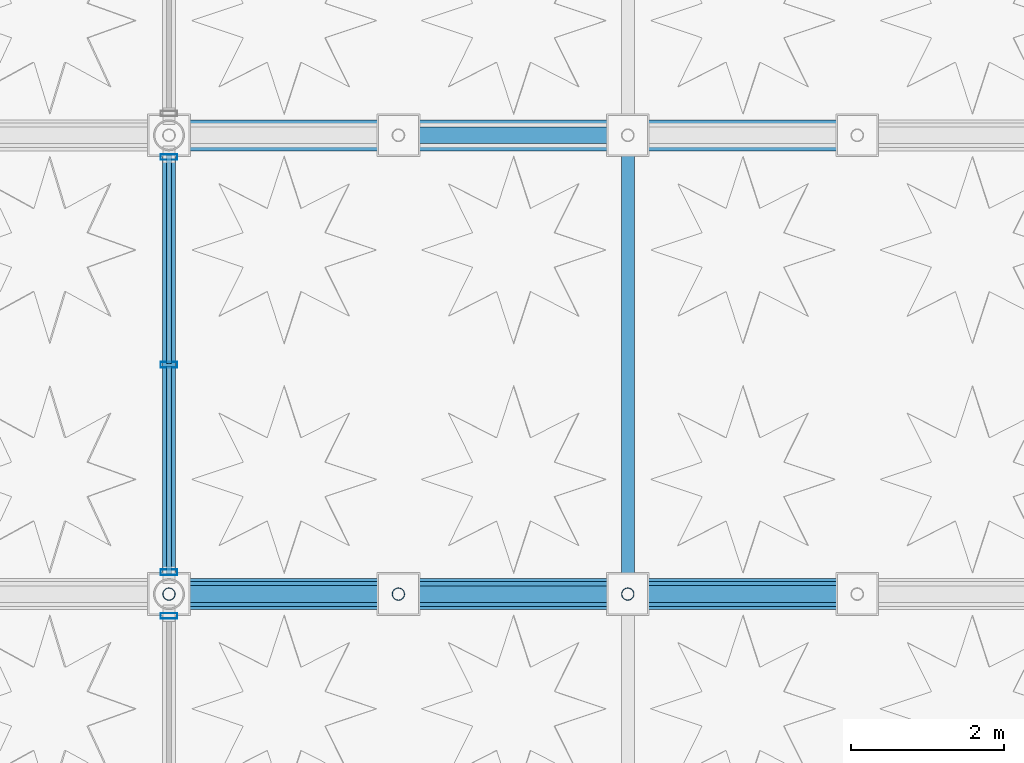
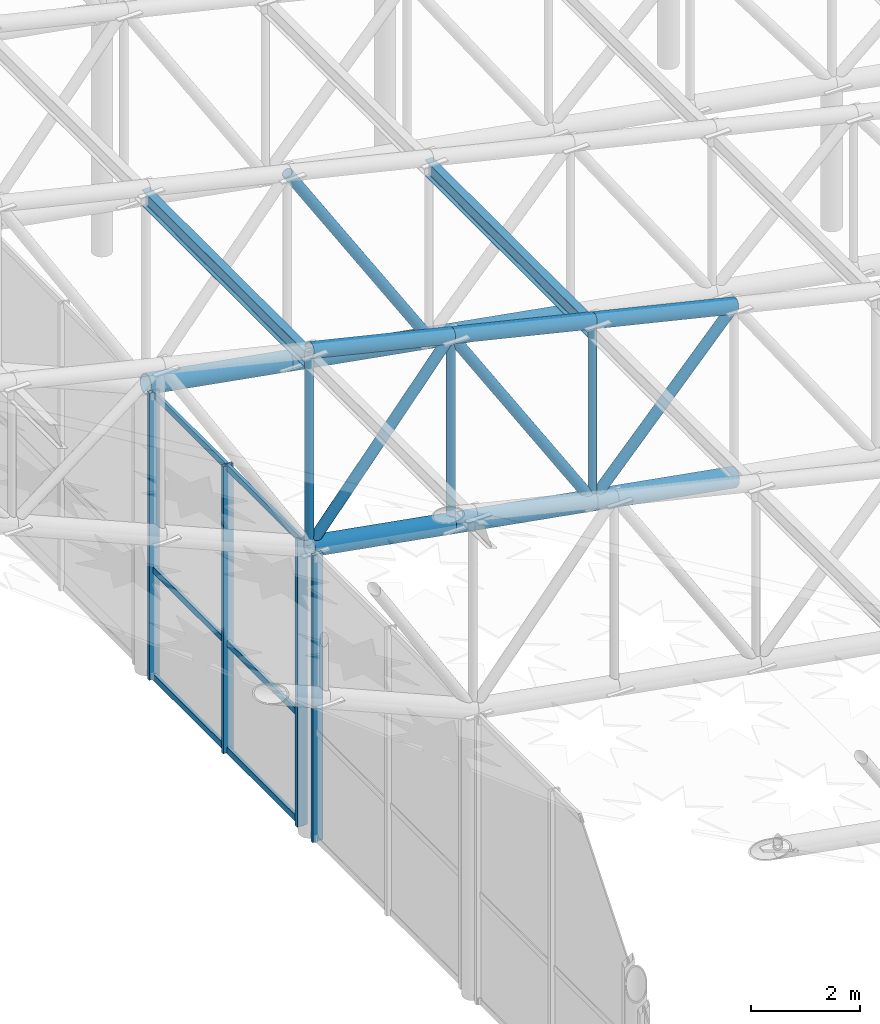
# One storey, part 40 of 112: 26 members, 2 beams, 2 elements without a shape of their own.
"""IFC4 building model written with IfcOpenShell, lengths in metres."""

from ifc_helpers import new_model, si_unit, direction, frame, origin, origin_2d, place, context, subcontext, project, spatial, hollow_rectangle, hollow_circle, i_section, extrude, material, material_profile, profile_set, type_object, element, aggregate, save


model = new_model("IFC4")

# Units and contexts
model_context = context("Model", 3, precision=1e-05, world=origin(), true_north=direction((0.0, 1.0)))
body_context = subcontext(model_context, "Body", "Model", "MODEL_VIEW")
ifc_project = project(units=[si_unit("LENGTHUNIT", "METRE"), si_unit("AREAUNIT", "SQUARE_METRE"), si_unit("VOLUMEUNIT", "CUBIC_METRE"), si_unit("PLANEANGLEUNIT", "RADIAN"), si_unit("MASSUNIT", "GRAM", prefix="KILO"), si_unit("THERMODYNAMICTEMPERATUREUNIT", "KELVIN"), si_unit("POWERUNIT", "WATT")], contexts=[model_context])

# Site, building, storey
site_placement = place(None, origin())
site = spatial("IfcSite", under=ifc_project, at=site_placement, CompositionType="ELEMENT")
building_placement = place(site_placement, origin())
building = spatial("IfcBuilding", under=site, at=building_placement, Name="Phaisarnlok Congress Hotel", CompositionType="ELEMENT")
storey_placement = place(building_placement, frame((0.0, 0.0, 19.800048828125)))
storey = spatial("IfcBuildingStorey", under=building, at=storey_placement, Name="L04", CompositionType="ELEMENT", Elevation=19.800048828125)

# Curtain wall, member
ifc_material_1 = material(Name="Thermally Broken Unitised Aluminium & Low-E Glazing", Category="aluminium")
curtain_wall_type = type_object("IfcCurtainWallType", Name="CW-UNIT-45", PredefinedType="NOTDEFINED", material=ifc_material_1)
curtain_wall_1_placement = place(storey_placement, origin())
curtain_wall_1 = element("IfcCurtainWall", 1, at=curtain_wall_1_placement, inside=storey, type_object=curtain_wall_type, Name="Unitised curtain wall CW-45 (L04)", PredefinedType="NOTDEFINED")
ifc_material_2 = material(Name="Anodised Aluminium Alloy 6063-T6", Category="aluminium")
ifc_material_profile_1 = material_profile(ifc_material_2, hollow_rectangle(XDim=0.074951171875, YDim=0.219970703125, WallThickness=0.0048828125, at=origin_2d()), Name="ALU-M 75x220x5")
ifc_profile_set_1 = profile_set([ifc_material_profile_1], Name="Anodised Aluminium Alloy 6063-T6")
member_type_1 = type_object("IfcMemberType", Name="CWM-220", PredefinedType="MULLION", material=ifc_profile_set_1)
member_1_placement = place(storey_placement, frame((120.0, 65.715087890625, -0.010009765625), z_axis=(0.0, 0.0, 1.0), x_axis=(0.0, -1.0, 0.0)))
member_1 = element("IfcMember", 2, at=member_1_placement, type_object=member_type_1, Name="Curtain wall mullion CWM-02", PredefinedType="MULLION", context=body_context, shape_type="SweptSolid", body=[
    extrude(hollow_rectangle(XDim=0.074951171875, YDim=0.219970703125, WallThickness=0.0048828125, at=origin_2d()), origin(), (0.0, 0.0, 1.0), 6.429931640625),
])
aggregate(curtain_wall_1, [member_1])

# Curtain wall, members
curtain_wall_2_placement = place(storey_placement, origin())
curtain_wall_2 = element("IfcCurtainWall", 3, at=curtain_wall_2_placement, inside=storey, type_object=curtain_wall_type, Name="Unitised curtain wall CW-45 (L04)", PredefinedType="NOTDEFINED")
member_2_placement = place(storey_placement, frame((120.0, 71.715087890625, -0.010009765625), z_axis=(0.0, 0.0, 1.0), x_axis=(0.0, -1.0, 0.0)))
member_2 = element("IfcMember", 4, at=member_2_placement, type_object=member_type_1, Name="Curtain wall mullion CWM-02", PredefinedType="MULLION", context=body_context, shape_type="SweptSolid", body=[
    extrude(hollow_rectangle(XDim=0.074951171875, YDim=0.219970703125, WallThickness=0.0048828125, at=origin_2d()), origin(), (0.0, 0.0, 1.0), 6.429931640625),
])
member_3_placement = place(storey_placement, frame((120.0, 69.0, -0.010009765625), z_axis=(0.0, 0.0, 1.0), x_axis=(0.0, -1.0, 0.0)))
member_3 = element("IfcMember", 5, at=member_3_placement, type_object=member_type_1, Name="Curtain wall mullion CWM-02", PredefinedType="MULLION", context=body_context, shape_type="SweptSolid", body=[
    extrude(hollow_rectangle(XDim=0.074951171875, YDim=0.219970703125, WallThickness=0.0048828125, at=origin_2d()), origin(), (0.0, 0.0, 1.0), 6.429931640625),
])
member_4_placement = place(storey_placement, frame((120.0, 66.284912109375, -0.010009765625), z_axis=(0.0, 0.0, 1.0), x_axis=(0.0, -1.0, 0.0)))
member_4 = element("IfcMember", 6, at=member_4_placement, type_object=member_type_1, Name="Curtain wall mullion CWM-02", PredefinedType="MULLION", context=body_context, shape_type="SweptSolid", body=[
    extrude(hollow_rectangle(XDim=0.074951171875, YDim=0.219970703125, WallThickness=0.0048828125, at=origin_2d()), origin(), (0.0, 0.0, 1.0), 6.429931640625),
])
ifc_material_profile_2 = material_profile(ifc_material_2, hollow_rectangle(XDim=0.06494140625, YDim=0.139892578125, WallThickness=0.00390625, at=origin_2d()), Name="ALU-T 65x140x4")
ifc_profile_set_2 = profile_set([ifc_material_profile_2], Name="Anodised Aluminium Alloy 6063-T6")
member_type_2 = type_object("IfcMemberType", Name="CWT-150", PredefinedType="USERDEFINED", material=ifc_profile_set_2)
member_5_placement = place(storey_placement, frame((120.0, 71.739990234375, 0.0400390625), z_axis=(0.0, -1.0, 0.0), x_axis=(1.0, 0.0, 0.0)))
member_5 = element("IfcMember", 7, at=member_5_placement, type_object=member_type_2, Name="Curtain wall transom CWT-01", ObjectType="TRANSOM", PredefinedType="USERDEFINED", context=body_context, shape_type="SweptSolid", body=[
    extrude(hollow_rectangle(XDim=0.06494140625, YDim=0.139892578125, WallThickness=0.00390625, at=origin_2d()), origin(), (0.0, 0.0, 1.0), 2.72509765625),
])
member_6_placement = place(storey_placement, frame((120.0, 71.739990234375, 2.433349609375), z_axis=(0.0, -1.0, 0.0), x_axis=(1.0, 0.0, 0.0)))
member_6 = element("IfcMember", 8, at=member_6_placement, type_object=member_type_2, Name="Curtain wall transom CWT-01", ObjectType="TRANSOM", PredefinedType="USERDEFINED", context=body_context, shape_type="SweptSolid", body=[
    extrude(hollow_rectangle(XDim=0.06494140625, YDim=0.139892578125, WallThickness=0.00390625, at=origin_2d()), origin(), (0.0, 0.0, 1.0), 2.72509765625),
])
member_7_placement = place(storey_placement, frame((120.0, 71.739990234375, 6.369873046875), z_axis=(0.0, -1.0, 0.0), x_axis=(1.0, 0.0, 0.0)))
member_7 = element("IfcMember", 9, at=member_7_placement, type_object=member_type_2, Name="Curtain wall transom CWT-01", ObjectType="TRANSOM", PredefinedType="USERDEFINED", context=body_context, shape_type="SweptSolid", body=[
    extrude(hollow_rectangle(XDim=0.06494140625, YDim=0.139892578125, WallThickness=0.00390625, at=origin_2d()), origin(), (0.0, 0.0, 1.0), 2.72509765625),
])
member_8_placement = place(storey_placement, frame((120.0, 68.985107421875, 0.0400390625), z_axis=(0.0, -1.0, 0.0), x_axis=(1.0, 0.0, 0.0)))
member_8 = element("IfcMember", 10, at=member_8_placement, type_object=member_type_2, Name="Curtain wall transom CWT-01", ObjectType="TRANSOM", PredefinedType="USERDEFINED", context=body_context, shape_type="SweptSolid", body=[
    extrude(hollow_rectangle(XDim=0.06494140625, YDim=0.139892578125, WallThickness=0.00390625, at=origin_2d()), origin(), (0.0, 0.0, 1.0), 2.72509765625),
])
member_9_placement = place(storey_placement, frame((120.0, 68.985107421875, 2.433349609375), z_axis=(0.0, -1.0, 0.0), x_axis=(1.0, 0.0, 0.0)))
member_9 = element("IfcMember", 11, at=member_9_placement, type_object=member_type_2, Name="Curtain wall transom CWT-01", ObjectType="TRANSOM", PredefinedType="USERDEFINED", context=body_context, shape_type="SweptSolid", body=[
    extrude(hollow_rectangle(XDim=0.06494140625, YDim=0.139892578125, WallThickness=0.00390625, at=origin_2d()), origin(), (0.0, 0.0, 1.0), 2.72509765625),
])
member_10_placement = place(storey_placement, frame((120.0, 68.985107421875, 6.369873046875), z_axis=(0.0, -1.0, 0.0), x_axis=(1.0, 0.0, 0.0)))
member_10 = element("IfcMember", 12, at=member_10_placement, type_object=member_type_2, Name="Curtain wall transom CWT-01", ObjectType="TRANSOM", PredefinedType="USERDEFINED", context=body_context, shape_type="SweptSolid", body=[
    extrude(hollow_rectangle(XDim=0.06494140625, YDim=0.139892578125, WallThickness=0.00390625, at=origin_2d()), origin(), (0.0, 0.0, 1.0), 2.72509765625),
])
aggregate(curtain_wall_2, [member_2, member_3, member_4, member_5, member_6, member_7, member_8, member_9, member_10])

# Beams
ifc_material_3 = material(Name="Steel S355", Category="steel")
ifc_material_profile_3 = material_profile(ifc_material_3, i_section(OverallWidth=0.169921875, OverallDepth=0.360107421875, WebThickness=0.008056640625, FlangeThickness=0.0126953125, FilletRadius=0.01806640625, at=origin_2d()), Name="IPE 360")
ifc_profile_set_3 = profile_set([ifc_material_profile_3], Name="Steel S355")
beam_type = type_object("IfcBeamType", Name="JS-STL-IPE360", PredefinedType="JOIST", material=ifc_profile_set_3)
for number, where, z_axis, x_axis, name in (
    (13, (126.0, 66.0, 9.16845703125), (0.0, 1.0, 0.0), (-1.0, 0.0, 0.0), "Cloister wing roof purlin"),
    (14, (120.0, 66.0, 10.6005859375), (0.0, 1.0, 0.0), (-1.0, 0.0, 0.0), "Cloister wing roof purlin"),
):
    element("IfcBeam", number, at=place(storey_placement, frame(where, z_axis=z_axis, x_axis=x_axis)), inside=storey, type_object=beam_type, Name=name, PredefinedType="JOIST", context=body_context, shape_type="SweptSolid", body=[
        extrude(i_section(OverallWidth=0.169921875, OverallDepth=0.360107421875, WebThickness=0.008056640625, FlangeThickness=0.0126953125, FilletRadius=0.01806640625, at=origin_2d()), origin(), (0.0, 0.0, 1.0), 6.0),
    ])

# Members
ifc_material_profile_4 = material_profile(ifc_material_3, hollow_circle(Radius=0.084228515625, WallThickness=0.010009765625, at=origin_2d()), Name="CHS 168.3x10")
ifc_profile_set_4 = profile_set([ifc_material_profile_4], Name="Steel S355")
member_type_3 = type_object("IfcMemberType", Name="MEM-BRC-CHS168", PredefinedType="BRACE", material=ifc_profile_set_4)
member_11_placement = place(storey_placement, frame((126.0, 66.0, 5.333251953125), z_axis=(0.0, 0.0, 1.0), x_axis=(1.0, 0.0, 0.0)))
element("IfcMember", 15, at=member_11_placement, inside=storey, type_object=member_type_3, Name="Cloister wing roof truss vertical web", PredefinedType="BRACE", context=body_context, shape_type="SweptSolid", body=[
    extrude(hollow_circle(Radius=0.084228515625, WallThickness=0.010009765625, at=origin_2d()), origin(), (0.0, 0.0, 1.0), 4.027099609375),
])
member_12_placement = place(storey_placement, frame((123.0, 66.0, 5.86669921875), z_axis=(0.0, 0.0, 1.0), x_axis=(1.0, 0.0, 0.0)))
element("IfcMember", 16, at=member_12_placement, inside=storey, type_object=member_type_3, Name="Cloister wing roof truss vertical web", PredefinedType="BRACE", context=body_context, shape_type="SweptSolid", body=[
    extrude(hollow_circle(Radius=0.084228515625, WallThickness=0.010009765625, at=origin_2d()), origin(), (0.0, 0.0, 1.0), 4.209716796875),
])
member_13_placement = place(storey_placement, frame((120.0, 66.0, 6.39990234375), z_axis=(0.0, 0.0, 1.0), x_axis=(1.0, 0.0, 0.0)))
element("IfcMember", 17, at=member_13_placement, inside=storey, type_object=member_type_3, Name="Cloister wing roof truss vertical web", PredefinedType="BRACE", context=body_context, shape_type="SweptSolid", body=[
    extrude(hollow_circle(Radius=0.084228515625, WallThickness=0.010009765625, at=origin_2d()), origin(), (0.0, 0.0, 1.0), 4.392578125),
])
ifc_material_profile_5 = material_profile(ifc_material_3, hollow_circle(Radius=0.109619140625, WallThickness=0.012451171875, at=origin_2d()), Name="CHS 219.1x12.5")
ifc_profile_set_5 = profile_set([ifc_material_profile_5], Name="Steel S355")
member_type_4 = type_object("IfcMemberType", Name="MEM-BRC-CHS219", PredefinedType="BRACE", material=ifc_profile_set_5)
member_14_placement = place(storey_placement, frame((126.0, 66.0, 5.333251953125), z_axis=(0.671442541254, 0.0, 0.741056619831), x_axis=(0.0, 1.0, 0.0)))
element("IfcMember", 18, at=member_14_placement, inside=storey, type_object=member_type_4, Name="Cloister wing roof truss diagonal brace", PredefinedType="BRACE", context=body_context, shape_type="SweptSolid", body=[
    extrude(hollow_circle(Radius=0.109619140625, WallThickness=0.012451171875, at=origin_2d()), origin(), (0.0, 0.0, 1.0), 4.468017578125),
])
member_15_placement = place(storey_placement, frame((126.0, 66.0, 5.333251953125), z_axis=(-0.534542802575, 0.0, 0.845141403681), x_axis=(0.0, -1.0, 0.0)))
element("IfcMember", 19, at=member_15_placement, inside=storey, type_object=member_type_4, Name="Cloister wing roof truss diagonal brace", PredefinedType="BRACE", context=body_context, shape_type="SweptSolid", body=[
    extrude(hollow_circle(Radius=0.109619140625, WallThickness=0.012451171875, at=origin_2d()), origin(), (0.0, 0.0, 1.0), 5.6123046875),
])
member_16_placement = place(storey_placement, frame((120.0, 66.0, 6.39990234375), z_axis=(0.632220210367, 0.0, 0.774788749017), x_axis=(0.0, 1.0, 0.0)))
element("IfcMember", 20, at=member_16_placement, inside=storey, type_object=member_type_4, Name="Cloister wing roof truss diagonal brace", PredefinedType="BRACE", context=body_context, shape_type="SweptSolid", body=[
    extrude(hollow_circle(Radius=0.109619140625, WallThickness=0.012451171875, at=origin_2d()), origin(), (0.0, 0.0, 1.0), 4.7451171875),
])
member_17_placement = place(storey_placement, frame((126.0, 72.0, 5.333251953125), z_axis=(-0.534542802575, 0.0, 0.845141403681), x_axis=(0.0, -1.0, 0.0)))
element("IfcMember", 21, at=member_17_placement, inside=storey, type_object=member_type_4, Name="Cloister wing roof truss diagonal brace", PredefinedType="BRACE", context=body_context, shape_type="SweptSolid", body=[
    extrude(hollow_circle(Radius=0.109619140625, WallThickness=0.012451171875, at=origin_2d()), origin(), (0.0, 0.0, 1.0), 5.6123046875),
])
ifc_material_profile_6 = material_profile(ifc_material_3, hollow_circle(Radius=0.161865234375, WallThickness=0.01611328125, at=origin_2d()), Name="CHS 323.9x16")
ifc_profile_set_6 = profile_set([ifc_material_profile_6], Name="Steel S355")
member_type_5 = type_object("IfcMemberType", Name="MEM-CHD-CHS324", PredefinedType="CHORD", material=ifc_profile_set_6)
for number, where, z_axis, x_axis, name in (
    (22, (129.0, 66.0, 8.644287109375), (-0.972676115692, 0.0, 0.232166263617), (0.0, -1.0, 0.0), "Cloister wing roof truss top chord"),
    (23, (126.0, 66.0, 9.3603515625), (-0.972676115692, 0.0, 0.232166263617), (0.0, -1.0, 0.0), "Cloister wing roof truss top chord"),
    (24, (123.0, 66.0, 10.076416015625), (-0.972676115692, 0.0, 0.232166263617), (0.0, -1.0, 0.0), "Cloister wing roof truss top chord"),
):
    element("IfcMember", number, at=place(storey_placement, frame(where, z_axis=z_axis, x_axis=x_axis)), inside=storey, type_object=member_type_5, Name=name, PredefinedType="CHORD", context=body_context, shape_type="SweptSolid", body=[
        extrude(hollow_circle(Radius=0.161865234375, WallThickness=0.01611328125, at=origin_2d()), origin(), (0.0, 0.0, 1.0), 3.084228515625),
    ])
ifc_material_profile_7 = material_profile(ifc_material_3, hollow_circle(Radius=0.203125, WallThickness=0.02001953125, at=origin_2d()), Name="CHS 406.4x20")
ifc_profile_set_7 = profile_set([ifc_material_profile_7], Name="Steel S355")
member_type_6 = type_object("IfcMemberType", Name="MEM-CHD-CHS406", PredefinedType="CHORD", material=ifc_profile_set_7)
for number, where, z_axis, x_axis, name in (
    (25, (129.0, 66.0, 4.800048828125), (-0.984569871158, 0.0, 0.174991910694), (0.0, -1.0, 0.0), "Cloister wing roof truss bottom chord"),
    (26, (126.0, 66.0, 5.333251953125), (-0.984556063496, 0.0, 0.175069579976), (0.0, -1.0, 0.0), "Cloister wing roof truss bottom chord"),
    (27, (123.0, 66.0, 5.86669921875), (-0.984569871158, 0.0, 0.174991910694), (0.0, -1.0, 0.0), "Cloister wing roof truss bottom chord"),
    (28, (129.0, 72.0, 4.800048828125), (-0.984569871158, 0.0, 0.174991910694), (0.0, -1.0, 0.0), "Cloister wing roof truss bottom chord"),
    (29, (126.0, 72.0, 5.333251953125), (-0.984556063496, 0.0, 0.175069579976), (0.0, -1.0, 0.0), "Cloister wing roof truss bottom chord"),
    (30, (123.0, 72.0, 5.86669921875), (-0.984569871158, 0.0, 0.174991910694), (0.0, -1.0, 0.0), "Cloister wing roof truss bottom chord"),
):
    element("IfcMember", number, at=place(storey_placement, frame(where, z_axis=z_axis, x_axis=x_axis)), inside=storey, type_object=member_type_6, Name=name, PredefinedType="CHORD", context=body_context, shape_type="SweptSolid", body=[
        extrude(hollow_circle(Radius=0.203125, WallThickness=0.02001953125, at=origin_2d()), origin(), (0.0, 0.0, 1.0), 3.047119140625),
    ])

save(model, "model.ifc")
